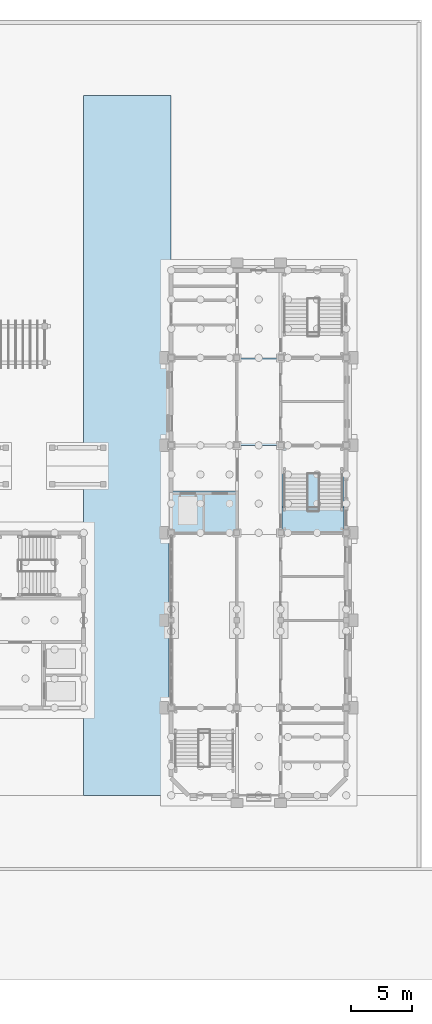
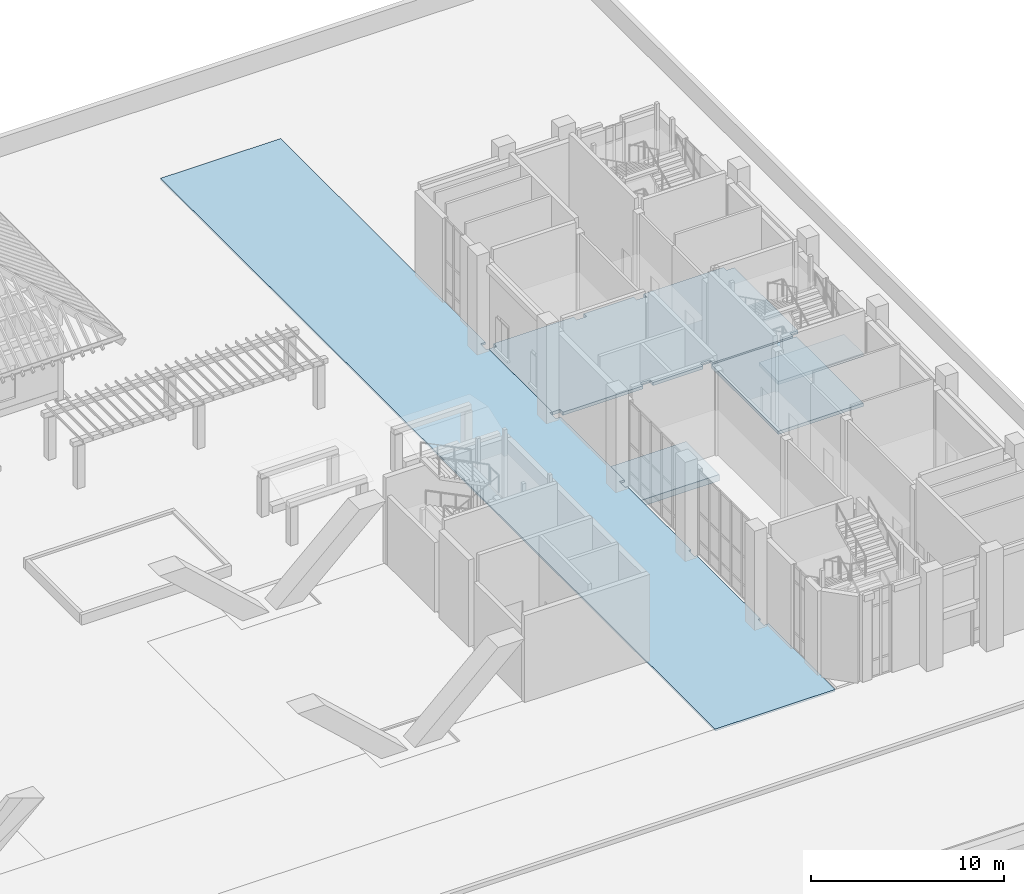
# One storey, part 28 of 84: 5 slabs, 1 element without a shape of its own.
"""IFC4 building model written with IfcOpenShell, lengths in metres."""

from ifc_helpers import new_model, si_unit, direction, frame, origin, place, context, subcontext, project, spatial, polyline, outline, extrude, material, layer, layer_set, type_object, element, aggregate, save


model = new_model("IFC4")

# Units and contexts
model_context = context("Model", 3, precision=1e-05, world=origin(), true_north=direction((0.0, 1.0)))
body_context = subcontext(model_context, "Body", "Model", "MODEL_VIEW")
ifc_project = project(units=[si_unit("LENGTHUNIT", "METRE"), si_unit("AREAUNIT", "SQUARE_METRE"), si_unit("VOLUMEUNIT", "CUBIC_METRE"), si_unit("PLANEANGLEUNIT", "RADIAN"), si_unit("MASSUNIT", "GRAM", prefix="KILO")], contexts=[model_context])

# Site, building, storey
site_placement = place(None, origin())
site = spatial("IfcSite", under=ifc_project, at=site_placement, CompositionType="ELEMENT")
building_placement = place(site_placement, origin())
building = spatial("IfcBuilding", under=site, at=building_placement, Name="Mazhai Court Health Centre", CompositionType="ELEMENT")
storey_placement = place(building_placement, origin())
storey = spatial("IfcBuildingStorey", under=building, at=storey_placement, Name="L00", CompositionType="ELEMENT", Elevation=0.0)

# Slabs
ifc_material_1 = material(Name="Concrete M35", Category="concrete")
ifc_layer_1 = layer(ifc_material_1, 0.199951171875)
ifc_layer_set_1 = layer_set([ifc_layer_1], Name="GROUND SLAB 200 M35")
slab_type_1 = type_object("IfcSlabType", Name="GROUND SLAB 200 M35", PredefinedType="BASESLAB", material=ifc_layer_set_1)
slab_1_placement = place(storey_placement, frame((0.0, 0.0, -0.199951171875)))
element("IfcSlab", 1, at=slab_1_placement, inside=storey, type_object=slab_type_1, Name="slab-ground-V6-2", PredefinedType="BASESLAB", context=body_context, shape_type="SweptSolid", body=[
    extrude(outline(polyline([(150.364990234375, 35.300048828125), (149.89990234375, 35.300048828125), (149.89990234375, 35.0), (145.10009765625, 35.0), (145.10009765625, 35.300048828125), (144.5, 35.300048828125), (144.5, 35.0), (141.5, 35.0), (141.5, 35.300048828125), (140.89990234375, 35.300048828125), (140.89990234375, 35.0), (136.10009765625, 35.0), (136.10009765625, 35.300048828125), (135.635009765625, 35.300048828125), (135.635009765625, 41.89990234375), (136.10009765625, 41.89990234375), (136.10009765625, 42.199951171875), (140.89990234375, 42.199951171875), (140.89990234375, 41.89990234375), (141.5, 41.89990234375), (141.5, 42.199951171875), (144.5, 42.199951171875), (144.5, 41.89990234375), (145.10009765625, 41.89990234375), (145.10009765625, 42.199951171875), (149.89990234375, 42.199951171875), (149.89990234375, 41.89990234375), (150.364990234375, 41.89990234375), (150.364990234375, 35.300048828125)])), origin(), (0.0, 0.0, 1.0), 0.199951171875),
])
ifc_material_2 = material(Name="Concrete M30", Category="concrete")
ifc_layer_2 = layer(ifc_material_2, 0.1201171875)
ifc_layer_set_2 = layer_set([ifc_layer_2], Name="PAVING 120 CONCRETE M30")
slab_type_2 = type_object("IfcSlabType", Name="PAVING 120 CONCRETE M30", PredefinedType="BASESLAB", material=ifc_layer_set_2)
slab_2_placement = place(storey_placement, frame((0.0, 0.0, -0.1201171875)))
element("IfcSlab", 2, at=slab_2_placement, inside=storey, type_object=slab_type_2, Name="paving-P3", PredefinedType="BASESLAB", context=body_context, shape_type="SweptSolid", body=[
    extrude(outline(polyline([(128.60009765625, 6.199951171875), (128.60009765625, 63.800048828125), (135.800048828125, 63.800048828125), (135.800048828125, 42.5), (135.5, 42.5), (135.5, 41.89990234375), (135.635009765625, 41.89990234375), (135.635009765625, 35.300048828125), (135.5, 35.300048828125), (135.5, 34.699951171875), (135.800048828125, 34.699951171875), (135.800048828125, 28.10009765625), (135.5, 28.10009765625), (135.5, 27.5), (135.635009765625, 27.5), (135.635009765625, 20.89990234375), (135.5, 20.89990234375), (135.5, 20.300048828125), (135.635009765625, 20.300048828125), (135.635009765625, 13.699951171875), (135.5, 13.699951171875), (135.5, 13.10009765625), (135.800048828125, 13.10009765625), (135.800048828125, 6.199951171875), (128.60009765625, 6.199951171875)])), origin(), (0.0, 0.0, 1.0), 0.1201171875),
])
ifc_material_3 = material(Name="Concrete M40", Category="concrete")
ifc_layer_3 = layer(ifc_material_3, 0.39990234375)
ifc_layer_set_3 = layer_set([ifc_layer_3], Name="RC LIFT PIT SLAB 400 M40")
slab_type_3 = type_object("IfcSlabType", Name="RC LIFT PIT SLAB 400 M40", PredefinedType="BASESLAB", material=ifc_layer_set_3)
slab_3_placement = place(storey_placement, frame((0.0, 0.0, -1.800048828125)))
element("IfcSlab", 3, at=slab_3_placement, inside=storey, type_object=slab_type_3, Name="core-C9-pit-slab", PredefinedType="BASESLAB", context=body_context, shape_type="SweptSolid", body=[
    extrude(outline(polyline([(135.675048828125, 27.800048828125), (135.675048828125, 31.25), (141.324951171875, 31.25), (141.324951171875, 27.800048828125), (135.675048828125, 27.800048828125)])), origin(), (0.0, 0.0, 1.0), 0.400146484375),
])
ifc_material_4 = material(Name="Concrete M40", Category="concrete")
ifc_layer_4 = layer(ifc_material_4, 0.199951171875)
ifc_layer_set_4 = layer_set([ifc_layer_4], Name="RC STAIR GROUND SLAB 200 M40")
slab_type_4 = type_object("IfcSlabType", Name="RC STAIR GROUND SLAB 200 M40", PredefinedType="BASESLAB", material=ifc_layer_set_4)
slab_4_placement = place(storey_placement, frame((0.0, 0.0, -0.199951171875)))
element("IfcSlab", 4, at=slab_4_placement, inside=storey, type_object=slab_type_4, Name="core-C9-stair-ground-slab", PredefinedType="BASESLAB", context=body_context, shape_type="SweptSolid", body=[
    extrude(outline(polyline([(144.925048828125, 27.925048828125), (150.034912109375, 27.925048828125), (150.034912109375, 34.875), (144.925048828125, 34.875), (144.925048828125, 27.925048828125)])), origin(), (0.0, 0.0, 1.0), 0.199951171875),
])

# Stair, slab
ifc_material_5 = material(Name="Concrete M40", Category="concrete")
stair_type = type_object("IfcStairType", Name="RC STAIR 2000 42R", PredefinedType="DOUBLE_RETURN_STAIR", material=ifc_material_5)
stair_placement = place(storey_placement, origin())
stair = element("IfcStair", 5, at=stair_placement, inside=storey, type_object=stair_type, Name="L00 Stair 9", PredefinedType="DOUBLE_RETURN_STAIR")
ifc_material_6 = material(Name="Concrete M40", Category="concrete")
ifc_layer_5 = layer(ifc_material_6, 0.199951171875)
ifc_layer_set_5 = layer_set([ifc_layer_5], Name="RC STAIR LANDING 200 M40")
slab_type_5 = type_object("IfcSlabType", Name="RC STAIR LANDING 200 M40", PredefinedType="LANDING", material=ifc_layer_set_5)
slab_5_placement = place(storey_placement, frame((0.0, 0.0, 2.949951171875)))
slab_5 = element("IfcSlab", 6, at=slab_5_placement, type_object=slab_type_5, Name="ST9 landing 2", PredefinedType="LANDING", context=body_context, shape_type="SweptSolid", body=[
    extrude(outline(polyline([(150.034912109375, 27.925048828125), (150.034912109375, 29.925048828125), (144.925048828125, 29.925048828125), (144.925048828125, 27.925048828125), (150.034912109375, 27.925048828125)])), origin(), (0.0, 0.0, 1.0), 0.199951171875),
])
aggregate(stair, [slab_5])

save(model, "model.ifc")
